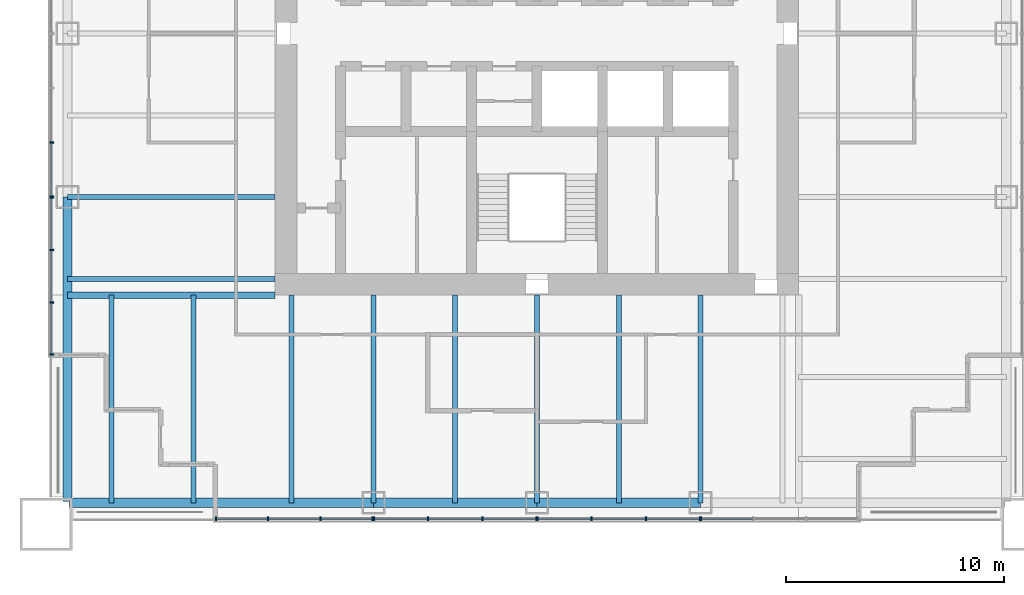
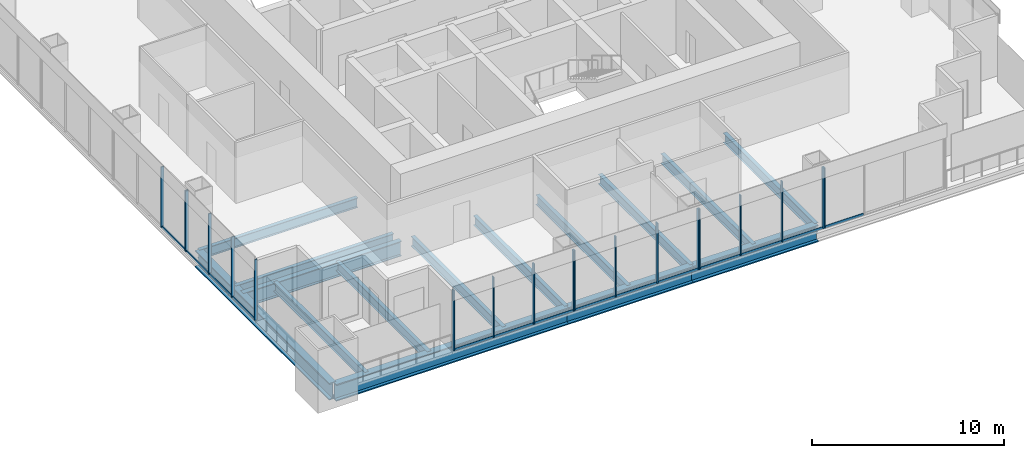
# One storey, part 2 of 13: 33 members, 15 beams, 6 elements without a shape of their own.
"""IFC4 building model written with IfcOpenShell, lengths in metres."""

from ifc_helpers import new_model, si_unit, direction, frame, origin, origin_2d, place, context, subcontext, project, spatial, rectangle, i_section, extrude, material, material_profile, profile_set, type_object, element, aggregate, save


model = new_model("IFC4")

# Units and contexts
model_context = context("Model", 3, precision=1e-05, world=origin(), true_north=direction((0.0, 1.0)))
body_context = subcontext(model_context, "Body", "Model", "MODEL_VIEW")
ifc_project = project(units=[si_unit("LENGTHUNIT", "METRE"), si_unit("AREAUNIT", "SQUARE_METRE"), si_unit("VOLUMEUNIT", "CUBIC_METRE"), si_unit("PLANEANGLEUNIT", "RADIAN"), si_unit("MASSUNIT", "GRAM", prefix="KILO")], contexts=[model_context])

# Site, building, storey
site_placement = place(None, origin())
site = spatial("IfcSite", under=ifc_project, at=site_placement, CompositionType="ELEMENT")
building_placement = place(site_placement, origin())
building = spatial("IfcBuilding", under=site, at=building_placement, Name="Tarangal Relay Tower", CompositionType="ELEMENT")
storey_placement = place(building_placement, frame((0.0, 0.0, 217.89990234375)))
storey = spatial("IfcBuildingStorey", under=building, at=storey_placement, Name="L46", CompositionType="ELEMENT", Elevation=217.89990234375)

# Beams
ifc_material_1 = material(Name="Steel ASTM A992", Category="steel")
ifc_material_profile_1 = material_profile(ifc_material_1, i_section(OverallWidth=0.227783203125, OverallDepth=0.60205078125, WebThickness=0.010498046875, FlangeThickness=0.014892578125, at=origin_2d()), Name="W24X68")
ifc_profile_set_1 = profile_set([ifc_material_profile_1], Name="Steel ASTM A992")
beam_type_1 = type_object("IfcBeamType", Name="Corner beam W24X68", PredefinedType="JOIST", material=ifc_profile_set_1)
for number, where, z_axis, x_axis, name in (
    (1, (-15.75, -12.0, -0.450927734375), (0.0, -1.0, 0.0), (1.0, 0.0, 0.0), "Corner beam CB11 S L46"),
    (2, (-19.5, -12.0, -0.450927734375), (0.0, -1.0, 0.0), (1.0, 0.0, 0.0), "Corner beam CB11 S L46"),
):
    element("IfcBeam", number, at=place(storey_placement, frame(where, z_axis=z_axis, x_axis=x_axis)), inside=storey, type_object=beam_type_1, Name=name, PredefinedType="JOIST", context=body_context, shape_type="SweptSolid", body=[
        extrude(i_section(OverallWidth=0.227783203125, OverallDepth=0.60205078125, WebThickness=0.010498046875, FlangeThickness=0.014892578125, at=origin_2d()), origin(), (0.0, 0.0, 1.0), 9.514892578125),
    ])
ifc_material_profile_2 = material_profile(ifc_material_1, i_section(OverallWidth=0.307373046875, OverallDepth=0.9423828125, WebThickness=0.022216796875, FlangeThickness=0.039794921875, at=origin_2d()), Name="W36X232")
ifc_profile_set_2 = profile_set([ifc_material_profile_2], Name="Steel ASTM A992")
beam_type_2 = type_object("IfcBeamType", Name="Corner girder W36X232", PredefinedType="BEAM", material=ifc_profile_set_2)
beam_placement = place(storey_placement, frame((-12.0, -12.0, -0.62109375), z_axis=(-1.0, 0.0, 0.0), x_axis=(0.0, -1.0, 0.0)))
element("IfcBeam", 3, at=beam_placement, inside=storey, type_object=beam_type_2, Name="Corner girder CG4 S L46", PredefinedType="BEAM", context=body_context, shape_type="SweptSolid", body=[
    extrude(i_section(OverallWidth=0.307373046875, OverallDepth=0.9423828125, WebThickness=0.022216796875, FlangeThickness=0.039794921875, at=origin_2d()), origin(), (0.0, 0.0, 1.0), 9.514892578125),
])
ifc_material_profile_3 = material_profile(ifc_material_1, i_section(OverallWidth=0.41650390625, OverallDepth=1.0693359375, WebThickness=0.0390625, FlangeThickness=0.070068359375, at=origin_2d()), Name="W40X503")
ifc_profile_set_3 = profile_set([ifc_material_profile_3], Name="Steel ASTM A992")
beam_type_3 = type_object("IfcBeamType", Name="Edge girder W40X503", PredefinedType="SPANDREL", material=ifc_profile_set_3)
for number, where, z_axis, x_axis, name in (
    (4, (7.5, -21.514892578125, -0.6845703125), (-1.0, 0.0, 0.0), (0.0, -1.0, 0.0), "Edge girder EG8 S L46"),
    (5, (0.0, -21.514892578125, -0.6845703125), (-1.0, 0.0, 0.0), (0.0, -1.0, 0.0), "Edge girder EG8 S L46"),
):
    element("IfcBeam", number, at=place(storey_placement, frame(where, z_axis=z_axis, x_axis=x_axis)), inside=storey, type_object=beam_type_3, Name=name, PredefinedType="SPANDREL", context=body_context, shape_type="SweptSolid", body=[
        extrude(i_section(OverallWidth=0.41650390625, OverallDepth=1.0693359375, WebThickness=0.0390625, FlangeThickness=0.070068359375, at=origin_2d()), origin(), (0.0, 0.0, 1.0), 7.5),
    ])
for number, where, z_axis, x_axis, name in (
    (6, (-7.5, -21.514892578125, -0.6845703125), (-1.0, 0.0, 0.0), (0.0, -1.0, 0.0), "Edge girder EG8 S L46"),
    (7, (-21.514892578125, -21.449951171875, -0.6845703125), (0.0, 1.0, 0.0), (-1.0, 0.0, 0.0), "Edge girder EG8 W L46"),
):
    element("IfcBeam", number, at=place(storey_placement, frame(where, z_axis=z_axis, x_axis=x_axis)), inside=storey, type_object=beam_type_3, Name=name, PredefinedType="SPANDREL", context=body_context, shape_type="SweptSolid", body=[
        extrude(i_section(OverallWidth=0.41650390625, OverallDepth=1.0693359375, WebThickness=0.0390625, FlangeThickness=0.070068359375, at=origin_2d()), origin(), (0.0, 0.0, 1.0), 13.949951171875),
    ])
ifc_material_profile_4 = material_profile(ifc_material_1, i_section(OverallWidth=0.22900390625, OverallDepth=0.612060546875, WebThickness=0.011962890625, FlangeThickness=0.01953125, at=origin_2d()), Name="W24X84")
ifc_profile_set_4 = profile_set([ifc_material_profile_4], Name="Steel ASTM A992")
beam_type_4 = type_object("IfcBeamType", Name="Floor beam W24X84", PredefinedType="BEAM", material=ifc_profile_set_4)
for number, where, z_axis, x_axis, name in (
    (8, (7.5, -12.0, -0.455810546875), (0.0, -1.0, 0.0), (1.0, 0.0, 0.0), "Floor beam RB12 S L46"),
    (9, (3.75, -12.0, -0.455810546875), (0.0, -1.0, 0.0), (1.0, 0.0, 0.0), "Floor beam RB12 S L46"),
    (10, (0.0, -12.0, -0.455810546875), (0.0, -1.0, 0.0), (1.0, 0.0, 0.0), "Floor beam RB12 S L46"),
    (11, (-3.75, -12.0, -0.455810546875), (0.0, -1.0, 0.0), (1.0, 0.0, 0.0), "Floor beam RB12 S L46"),
    (12, (-7.5, -12.0, -0.455810546875), (0.0, -1.0, 0.0), (1.0, 0.0, 0.0), "Floor beam RB12 S L46"),
    (13, (-11.25, -12.0, -0.455810546875), (0.0, -1.0, 0.0), (1.0, 0.0, 0.0), "Floor beam RB12 S L46"),
    (14, (-12.0, -11.25, -0.455810546875), (-1.0, 0.0, 0.0), (0.0, -1.0, 0.0), "Floor beam RB12 W L46"),
    (15, (-12.0, -7.5, -0.455810546875), (-1.0, 0.0, 0.0), (0.0, -1.0, 0.0), "Floor beam RB12 W L46"),
):
    element("IfcBeam", number, at=place(storey_placement, frame(where, z_axis=z_axis, x_axis=x_axis)), inside=storey, type_object=beam_type_4, Name=name, PredefinedType="BEAM", context=body_context, shape_type="SweptSolid", body=[
        extrude(i_section(OverallWidth=0.22900390625, OverallDepth=0.612060546875, WebThickness=0.011962890625, FlangeThickness=0.01953125, at=origin_2d()), origin(), (0.0, 0.0, 1.0), 9.514892578125),
    ])

# Curtain wall, member
ifc_material_2 = material(Name="Unitised curtain wall, dark glass and black aluminium", Category="aluminium")
curtain_wall_type = type_object("IfcCurtainWallType", Name="Curtain wall CW-A", PredefinedType="USERDEFINED", material=ifc_material_2)
curtain_wall_1_placement = place(storey_placement, origin())
curtain_wall_1 = element("IfcCurtainWall", 16, at=curtain_wall_1_placement, inside=storey, type_object=curtain_wall_type, Name="Curtain wall CW-A S facade L46", ObjectType="UNITISED CURTAIN WALL", PredefinedType="USERDEFINED")
ifc_material_3 = material(Name="Black anodised aluminium mullion", Category="aluminium")
ifc_material_profile_5 = material_profile(ifc_material_3, rectangle(XDim=0.175048828125, YDim=0.06494140625, at=origin_2d()), Name="CW-AM 65X175")
ifc_profile_set_5 = profile_set([ifc_material_profile_5], Name="Black anodised aluminium mullion")
member_type_1 = type_object("IfcMemberType", Name="Mullion CW-A 65 x 175", PredefinedType="MULLION", material=ifc_profile_set_5)
member_1_placement = place(storey_placement, frame((7.532470703125, -22.25, 0.0), z_axis=(0.0, 0.0, 1.0), x_axis=(0.0, -1.0, 0.0)))
member_1 = element("IfcMember", 17, at=member_1_placement, type_object=member_type_1, Name="CW-A mullion 4", PredefinedType="MULLION", context=body_context, shape_type="SweptSolid", body=[
    extrude(rectangle(XDim=0.175048828125, YDim=0.06494140625, at=origin_2d()), origin(), (0.0, 0.0, 1.0), 3.85009765625),
])

# Curtain wall, members
curtain_wall_2_placement = place(storey_placement, origin())
curtain_wall_2 = element("IfcCurtainWall", 18, at=curtain_wall_2_placement, inside=storey, type_object=curtain_wall_type, Name="Curtain wall CW-A S facade L46", ObjectType="UNITISED CURTAIN WALL", PredefinedType="USERDEFINED")
member_2_placement = place(storey_placement, frame((7.467529296875, -22.25, 0.0), z_axis=(0.0, 0.0, 1.0), x_axis=(0.0, -1.0, 0.0)))
member_2 = element("IfcMember", 19, at=member_2_placement, type_object=member_type_1, Name="CW-A mullion 1", PredefinedType="MULLION", context=body_context, shape_type="SweptSolid", body=[
    extrude(rectangle(XDim=0.175048828125, YDim=0.06494140625, at=origin_2d()), origin(), (0.0, 0.0, 1.0), 3.85009765625),
])
member_3_placement = place(storey_placement, frame((5.0, -22.25, 0.0), z_axis=(0.0, 0.0, 1.0), x_axis=(0.0, -1.0, 0.0)))
member_3 = element("IfcMember", 20, at=member_3_placement, type_object=member_type_1, Name="CW-A mullion 2", PredefinedType="MULLION", context=body_context, shape_type="SweptSolid", body=[
    extrude(rectangle(XDim=0.175048828125, YDim=0.06494140625, at=origin_2d()), origin(), (0.0, 0.0, 1.0), 3.85009765625),
])
member_4_placement = place(storey_placement, frame((2.5, -22.25, 0.0), z_axis=(0.0, 0.0, 1.0), x_axis=(0.0, -1.0, 0.0)))
member_4 = element("IfcMember", 21, at=member_4_placement, type_object=member_type_1, Name="CW-A mullion 3", PredefinedType="MULLION", context=body_context, shape_type="SweptSolid", body=[
    extrude(rectangle(XDim=0.175048828125, YDim=0.06494140625, at=origin_2d()), origin(), (0.0, 0.0, 1.0), 3.85009765625),
])
member_5_placement = place(storey_placement, frame((0.032470703125, -22.25, 0.0), z_axis=(0.0, 0.0, 1.0), x_axis=(0.0, -1.0, 0.0)))
member_5 = element("IfcMember", 22, at=member_5_placement, type_object=member_type_1, Name="CW-A mullion 4", PredefinedType="MULLION", context=body_context, shape_type="SweptSolid", body=[
    extrude(rectangle(XDim=0.175048828125, YDim=0.06494140625, at=origin_2d()), origin(), (0.0, 0.0, 1.0), 3.85009765625),
])

curtain_wall_3_placement = place(storey_placement, origin())
curtain_wall_3 = element("IfcCurtainWall", 23, at=curtain_wall_3_placement, inside=storey, type_object=curtain_wall_type, Name="Curtain wall CW-A S facade L46", ObjectType="UNITISED CURTAIN WALL", PredefinedType="USERDEFINED")
member_6_placement = place(storey_placement, frame((-0.032470703125, -22.25, 0.0), z_axis=(0.0, 0.0, 1.0), x_axis=(0.0, -1.0, 0.0)))
member_6 = element("IfcMember", 24, at=member_6_placement, type_object=member_type_1, Name="CW-A mullion 1", PredefinedType="MULLION", context=body_context, shape_type="SweptSolid", body=[
    extrude(rectangle(XDim=0.175048828125, YDim=0.06494140625, at=origin_2d()), origin(), (0.0, 0.0, 1.0), 3.85009765625),
])
member_7_placement = place(storey_placement, frame((-2.5, -22.25, 0.0), z_axis=(0.0, 0.0, 1.0), x_axis=(0.0, -1.0, 0.0)))
member_7 = element("IfcMember", 25, at=member_7_placement, type_object=member_type_1, Name="CW-A mullion 2", PredefinedType="MULLION", context=body_context, shape_type="SweptSolid", body=[
    extrude(rectangle(XDim=0.175048828125, YDim=0.06494140625, at=origin_2d()), origin(), (0.0, 0.0, 1.0), 3.85009765625),
])
member_8_placement = place(storey_placement, frame((-5.0, -22.25, 0.0), z_axis=(0.0, 0.0, 1.0), x_axis=(0.0, -1.0, 0.0)))
member_8 = element("IfcMember", 26, at=member_8_placement, type_object=member_type_1, Name="CW-A mullion 3", PredefinedType="MULLION", context=body_context, shape_type="SweptSolid", body=[
    extrude(rectangle(XDim=0.175048828125, YDim=0.06494140625, at=origin_2d()), origin(), (0.0, 0.0, 1.0), 3.85009765625),
])
member_9_placement = place(storey_placement, frame((-7.467529296875, -22.25, 0.0), z_axis=(0.0, 0.0, 1.0), x_axis=(0.0, -1.0, 0.0)))
member_9 = element("IfcMember", 27, at=member_9_placement, type_object=member_type_1, Name="CW-A mullion 4", PredefinedType="MULLION", context=body_context, shape_type="SweptSolid", body=[
    extrude(rectangle(XDim=0.175048828125, YDim=0.06494140625, at=origin_2d()), origin(), (0.0, 0.0, 1.0), 3.85009765625),
])

curtain_wall_4_placement = place(storey_placement, origin())
curtain_wall_4 = element("IfcCurtainWall", 28, at=curtain_wall_4_placement, inside=storey, type_object=curtain_wall_type, Name="Curtain wall CW-A S facade L46", ObjectType="UNITISED CURTAIN WALL", PredefinedType="USERDEFINED")
member_10_placement = place(storey_placement, frame((-7.532470703125, -22.25, 0.0), z_axis=(0.0, 0.0, 1.0), x_axis=(0.0, -1.0, 0.0)))
member_10 = element("IfcMember", 29, at=member_10_placement, type_object=member_type_1, Name="CW-A mullion 1", PredefinedType="MULLION", context=body_context, shape_type="SweptSolid", body=[
    extrude(rectangle(XDim=0.175048828125, YDim=0.06494140625, at=origin_2d()), origin(), (0.0, 0.0, 1.0), 3.85009765625),
])
member_11_placement = place(storey_placement, frame((-9.916748046875, -22.25, 0.0), z_axis=(0.0, 0.0, 1.0), x_axis=(0.0, -1.0, 0.0)))
member_11 = element("IfcMember", 30, at=member_11_placement, type_object=member_type_1, Name="CW-A mullion 2", PredefinedType="MULLION", context=body_context, shape_type="SweptSolid", body=[
    extrude(rectangle(XDim=0.175048828125, YDim=0.06494140625, at=origin_2d()), origin(), (0.0, 0.0, 1.0), 3.85009765625),
])
member_12_placement = place(storey_placement, frame((-12.333251953125, -22.25, 0.0), z_axis=(0.0, 0.0, 1.0), x_axis=(0.0, -1.0, 0.0)))
member_12 = element("IfcMember", 31, at=member_12_placement, type_object=member_type_1, Name="CW-A mullion 3", PredefinedType="MULLION", context=body_context, shape_type="SweptSolid", body=[
    extrude(rectangle(XDim=0.175048828125, YDim=0.06494140625, at=origin_2d()), origin(), (0.0, 0.0, 1.0), 3.85009765625),
])
member_13_placement = place(storey_placement, frame((-14.717529296875, -22.25, 0.0), z_axis=(0.0, 0.0, 1.0), x_axis=(0.0, -1.0, 0.0)))
member_13 = element("IfcMember", 32, at=member_13_placement, type_object=member_type_1, Name="CW-A mullion 4", PredefinedType="MULLION", context=body_context, shape_type="SweptSolid", body=[
    extrude(rectangle(XDim=0.175048828125, YDim=0.06494140625, at=origin_2d()), origin(), (0.0, 0.0, 1.0), 3.85009765625),
])

curtain_wall_5_placement = place(storey_placement, origin())
curtain_wall_5 = element("IfcCurtainWall", 33, at=curtain_wall_5_placement, inside=storey, type_object=curtain_wall_type, Name="Curtain wall CW-A W facade L46", ObjectType="UNITISED CURTAIN WALL", PredefinedType="USERDEFINED")
member_14_placement = place(storey_placement, frame((-22.25, -14.717529296875, 0.0), z_axis=(0.0, 0.0, 1.0), x_axis=(-1.0, 0.0, 0.0)))
member_14 = element("IfcMember", 34, at=member_14_placement, type_object=member_type_1, Name="CW-A mullion 1", PredefinedType="MULLION", context=body_context, shape_type="SweptSolid", body=[
    extrude(rectangle(XDim=0.175048828125, YDim=0.06494140625, at=origin_2d()), origin(), (0.0, 0.0, 1.0), 3.85009765625),
])
member_15_placement = place(storey_placement, frame((-22.25, -12.333251953125, 0.0), z_axis=(0.0, 0.0, 1.0), x_axis=(-1.0, 0.0, 0.0)))
member_15 = element("IfcMember", 35, at=member_15_placement, type_object=member_type_1, Name="CW-A mullion 2", PredefinedType="MULLION", context=body_context, shape_type="SweptSolid", body=[
    extrude(rectangle(XDim=0.175048828125, YDim=0.06494140625, at=origin_2d()), origin(), (0.0, 0.0, 1.0), 3.85009765625),
])
member_16_placement = place(storey_placement, frame((-22.25, -9.916748046875, 0.0), z_axis=(0.0, 0.0, 1.0), x_axis=(-1.0, 0.0, 0.0)))
member_16 = element("IfcMember", 36, at=member_16_placement, type_object=member_type_1, Name="CW-A mullion 3", PredefinedType="MULLION", context=body_context, shape_type="SweptSolid", body=[
    extrude(rectangle(XDim=0.175048828125, YDim=0.06494140625, at=origin_2d()), origin(), (0.0, 0.0, 1.0), 3.85009765625),
])
member_17_placement = place(storey_placement, frame((-22.25, -7.532470703125, 0.0), z_axis=(0.0, 0.0, 1.0), x_axis=(-1.0, 0.0, 0.0)))
member_17 = element("IfcMember", 37, at=member_17_placement, type_object=member_type_1, Name="CW-A mullion 4", PredefinedType="MULLION", context=body_context, shape_type="SweptSolid", body=[
    extrude(rectangle(XDim=0.175048828125, YDim=0.06494140625, at=origin_2d()), origin(), (0.0, 0.0, 1.0), 3.85009765625),
])

curtain_wall_6_placement = place(storey_placement, origin())
curtain_wall_6 = element("IfcCurtainWall", 38, at=curtain_wall_6_placement, inside=storey, type_object=curtain_wall_type, Name="Curtain wall CW-A W facade L46", ObjectType="UNITISED CURTAIN WALL", PredefinedType="USERDEFINED")
member_18_placement = place(storey_placement, frame((-22.25, -7.467529296875, 0.0), z_axis=(0.0, 0.0, 1.0), x_axis=(-1.0, 0.0, 0.0)))
member_18 = element("IfcMember", 39, at=member_18_placement, type_object=member_type_1, Name="CW-A mullion 1", PredefinedType="MULLION", context=body_context, shape_type="SweptSolid", body=[
    extrude(rectangle(XDim=0.175048828125, YDim=0.06494140625, at=origin_2d()), origin(), (0.0, 0.0, 1.0), 3.85009765625),
])
member_19_placement = place(storey_placement, frame((-22.25, -5.0, 0.0), z_axis=(0.0, 0.0, 1.0), x_axis=(-1.0, 0.0, 0.0)))
member_19 = element("IfcMember", 40, at=member_19_placement, type_object=member_type_1, Name="CW-A mullion 2", PredefinedType="MULLION", context=body_context, shape_type="SweptSolid", body=[
    extrude(rectangle(XDim=0.175048828125, YDim=0.06494140625, at=origin_2d()), origin(), (0.0, 0.0, 1.0), 3.85009765625),
])

# Member
ifc_material_4 = material(Name="Black anodised aluminium transom", Category="aluminium")
ifc_material_profile_6 = material_profile(ifc_material_4, rectangle(XDim=0.06494140625, YDim=0.14990234375, at=origin_2d()), Name="CW-AT 65X150")
ifc_profile_set_6 = profile_set([ifc_material_profile_6], Name="Black anodised aluminium transom")
member_type_2 = type_object("IfcMemberType", Name="Transom CW-A 65 x 150", PredefinedType="USERDEFINED", material=ifc_profile_set_6)
member_20_placement = place(storey_placement, frame((9.88427734375, -22.25, 0.03271484375), z_axis=(-1.0, 0.0, 0.0), x_axis=(0.0, -1.0, 0.0)))
member_20 = element("IfcMember", 41, at=member_20_placement, type_object=member_type_2, Name="CW-A transom 3.1", ObjectType="TRANSOM", PredefinedType="USERDEFINED", context=body_context, shape_type="SweptSolid", body=[
    extrude(rectangle(XDim=0.06494140625, YDim=0.14990234375, at=origin_2d()), origin(), (0.0, 0.0, 1.0), 2.3193359375),
])

aggregate(curtain_wall_1, [member_1, member_20])

member_21_placement = place(storey_placement, frame((7.43505859375, -22.25, 0.03271484375), z_axis=(-1.0, 0.0, 0.0), x_axis=(0.0, -1.0, 0.0)))
member_21 = element("IfcMember", 42, at=member_21_placement, type_object=member_type_2, Name="CW-A transom 1.1", ObjectType="TRANSOM", PredefinedType="USERDEFINED", context=body_context, shape_type="SweptSolid", body=[
    extrude(rectangle(XDim=0.06494140625, YDim=0.14990234375, at=origin_2d()), origin(), (0.0, 0.0, 1.0), 2.402587890625),
])

member_22_placement = place(storey_placement, frame((4.967529296875, -22.25, 0.03271484375), z_axis=(-1.0, 0.0, 0.0), x_axis=(0.0, -1.0, 0.0)))
member_22 = element("IfcMember", 43, at=member_22_placement, type_object=member_type_2, Name="CW-A transom 2.1", ObjectType="TRANSOM", PredefinedType="USERDEFINED", context=body_context, shape_type="SweptSolid", body=[
    extrude(rectangle(XDim=0.06494140625, YDim=0.14990234375, at=origin_2d()), origin(), (0.0, 0.0, 1.0), 2.43505859375),
])

member_23_placement = place(storey_placement, frame((2.467529296875, -22.25, 0.03271484375), z_axis=(-1.0, 0.0, 0.0), x_axis=(0.0, -1.0, 0.0)))
member_23 = element("IfcMember", 44, at=member_23_placement, type_object=member_type_2, Name="CW-A transom 3.1", ObjectType="TRANSOM", PredefinedType="USERDEFINED", context=body_context, shape_type="SweptSolid", body=[
    extrude(rectangle(XDim=0.06494140625, YDim=0.14990234375, at=origin_2d()), origin(), (0.0, 0.0, 1.0), 2.402587890625),
])

aggregate(curtain_wall_2, [member_2, member_3, member_4, member_5, member_21, member_22, member_23])

member_24_placement = place(storey_placement, frame((-0.06494140625, -22.25, 0.03271484375), z_axis=(-1.0, 0.0, 0.0), x_axis=(0.0, -1.0, 0.0)))
member_24 = element("IfcMember", 45, at=member_24_placement, type_object=member_type_2, Name="CW-A transom 1.1", ObjectType="TRANSOM", PredefinedType="USERDEFINED", context=body_context, shape_type="SweptSolid", body=[
    extrude(rectangle(XDim=0.06494140625, YDim=0.14990234375, at=origin_2d()), origin(), (0.0, 0.0, 1.0), 2.402587890625),
])

member_25_placement = place(storey_placement, frame((-2.532470703125, -22.25, 0.03271484375), z_axis=(-1.0, 0.0, 0.0), x_axis=(0.0, -1.0, 0.0)))
member_25 = element("IfcMember", 46, at=member_25_placement, type_object=member_type_2, Name="CW-A transom 2.1", ObjectType="TRANSOM", PredefinedType="USERDEFINED", context=body_context, shape_type="SweptSolid", body=[
    extrude(rectangle(XDim=0.06494140625, YDim=0.14990234375, at=origin_2d()), origin(), (0.0, 0.0, 1.0), 2.43505859375),
])

member_26_placement = place(storey_placement, frame((-5.032470703125, -22.25, 0.03271484375), z_axis=(-1.0, 0.0, 0.0), x_axis=(0.0, -1.0, 0.0)))
member_26 = element("IfcMember", 47, at=member_26_placement, type_object=member_type_2, Name="CW-A transom 3.1", ObjectType="TRANSOM", PredefinedType="USERDEFINED", context=body_context, shape_type="SweptSolid", body=[
    extrude(rectangle(XDim=0.06494140625, YDim=0.14990234375, at=origin_2d()), origin(), (0.0, 0.0, 1.0), 2.402587890625),
])

aggregate(curtain_wall_3, [member_6, member_7, member_8, member_9, member_24, member_25, member_26])

member_27_placement = place(storey_placement, frame((-7.56494140625, -22.25, 0.03271484375), z_axis=(-1.0, 0.0, 0.0), x_axis=(0.0, -1.0, 0.0)))
member_27 = element("IfcMember", 48, at=member_27_placement, type_object=member_type_2, Name="CW-A transom 1.1", ObjectType="TRANSOM", PredefinedType="USERDEFINED", context=body_context, shape_type="SweptSolid", body=[
    extrude(rectangle(XDim=0.06494140625, YDim=0.14990234375, at=origin_2d()), origin(), (0.0, 0.0, 1.0), 2.3193359375),
])

member_28_placement = place(storey_placement, frame((-9.94921875, -22.25, 0.03271484375), z_axis=(-1.0, 0.0, 0.0), x_axis=(0.0, -1.0, 0.0)))
member_28 = element("IfcMember", 49, at=member_28_placement, type_object=member_type_2, Name="CW-A transom 2.1", ObjectType="TRANSOM", PredefinedType="USERDEFINED", context=body_context, shape_type="SweptSolid", body=[
    extrude(rectangle(XDim=0.06494140625, YDim=0.14990234375, at=origin_2d()), origin(), (0.0, 0.0, 1.0), 2.3515625),
])

member_29_placement = place(storey_placement, frame((-12.36572265625, -22.25, 0.03271484375), z_axis=(-1.0, 0.0, 0.0), x_axis=(0.0, -1.0, 0.0)))
member_29 = element("IfcMember", 50, at=member_29_placement, type_object=member_type_2, Name="CW-A transom 3.1", ObjectType="TRANSOM", PredefinedType="USERDEFINED", context=body_context, shape_type="SweptSolid", body=[
    extrude(rectangle(XDim=0.06494140625, YDim=0.14990234375, at=origin_2d()), origin(), (0.0, 0.0, 1.0), 2.3193359375),
])

aggregate(curtain_wall_4, [member_10, member_11, member_12, member_13, member_27, member_28, member_29])

member_30_placement = place(storey_placement, frame((-22.25, -14.68505859375, 0.03271484375), z_axis=(0.0, 1.0, 0.0), x_axis=(-1.0, 0.0, 0.0)))
member_30 = element("IfcMember", 51, at=member_30_placement, type_object=member_type_2, Name="CW-A transom 1.1", ObjectType="TRANSOM", PredefinedType="USERDEFINED", context=body_context, shape_type="SweptSolid", body=[
    extrude(rectangle(XDim=0.06494140625, YDim=0.14990234375, at=origin_2d()), origin(), (0.0, 0.0, 1.0), 2.3193359375),
])

member_31_placement = place(storey_placement, frame((-22.25, -12.30078125, 0.03271484375), z_axis=(0.0, 1.0, 0.0), x_axis=(-1.0, 0.0, 0.0)))
member_31 = element("IfcMember", 52, at=member_31_placement, type_object=member_type_2, Name="CW-A transom 2.1", ObjectType="TRANSOM", PredefinedType="USERDEFINED", context=body_context, shape_type="SweptSolid", body=[
    extrude(rectangle(XDim=0.06494140625, YDim=0.14990234375, at=origin_2d()), origin(), (0.0, 0.0, 1.0), 2.3515625),
])

member_32_placement = place(storey_placement, frame((-22.25, -9.88427734375, 0.03271484375), z_axis=(0.0, 1.0, 0.0), x_axis=(-1.0, 0.0, 0.0)))
member_32 = element("IfcMember", 53, at=member_32_placement, type_object=member_type_2, Name="CW-A transom 3.1", ObjectType="TRANSOM", PredefinedType="USERDEFINED", context=body_context, shape_type="SweptSolid", body=[
    extrude(rectangle(XDim=0.06494140625, YDim=0.14990234375, at=origin_2d()), origin(), (0.0, 0.0, 1.0), 2.3193359375),
])

aggregate(curtain_wall_5, [member_14, member_15, member_16, member_17, member_30, member_31, member_32])

member_33_placement = place(storey_placement, frame((-22.25, -7.43505859375, 0.03271484375), z_axis=(0.0, 1.0, 0.0), x_axis=(-1.0, 0.0, 0.0)))
member_33 = element("IfcMember", 54, at=member_33_placement, type_object=member_type_2, Name="CW-A transom 1.1", ObjectType="TRANSOM", PredefinedType="USERDEFINED", context=body_context, shape_type="SweptSolid", body=[
    extrude(rectangle(XDim=0.06494140625, YDim=0.14990234375, at=origin_2d()), origin(), (0.0, 0.0, 1.0), 2.402587890625),
])

aggregate(curtain_wall_6, [member_18, member_19, member_33])

save(model, "model.ifc")
